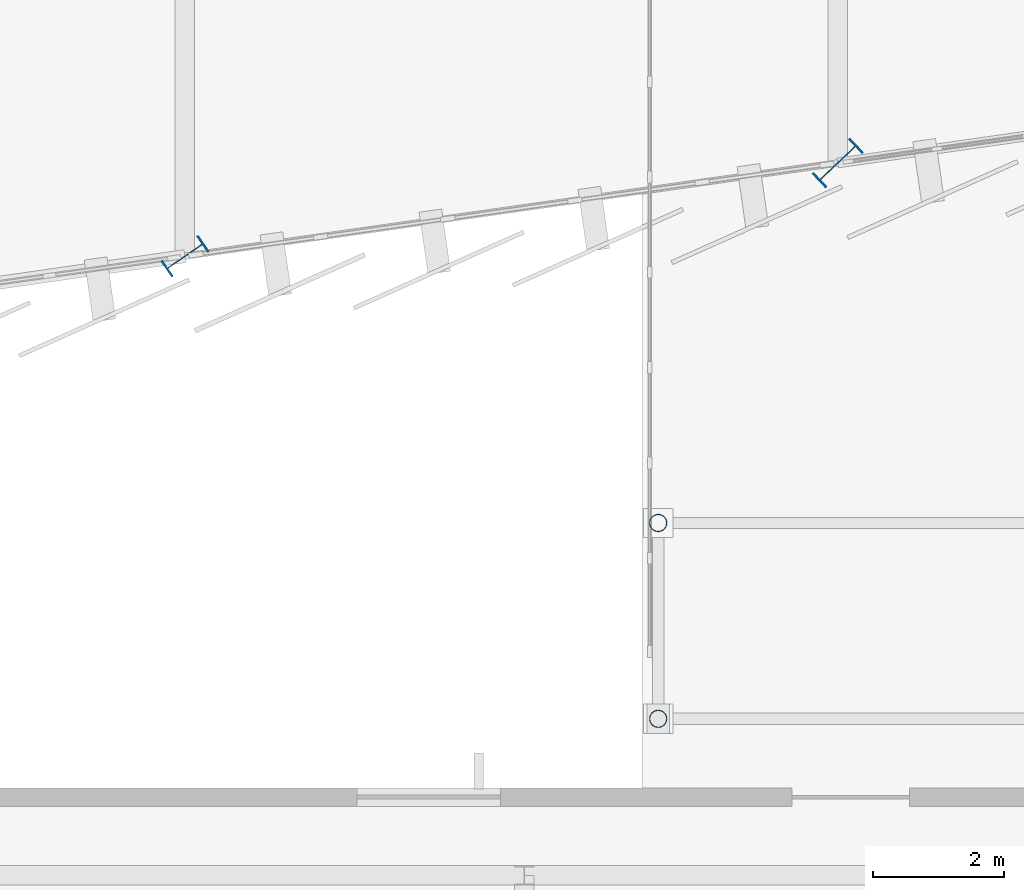
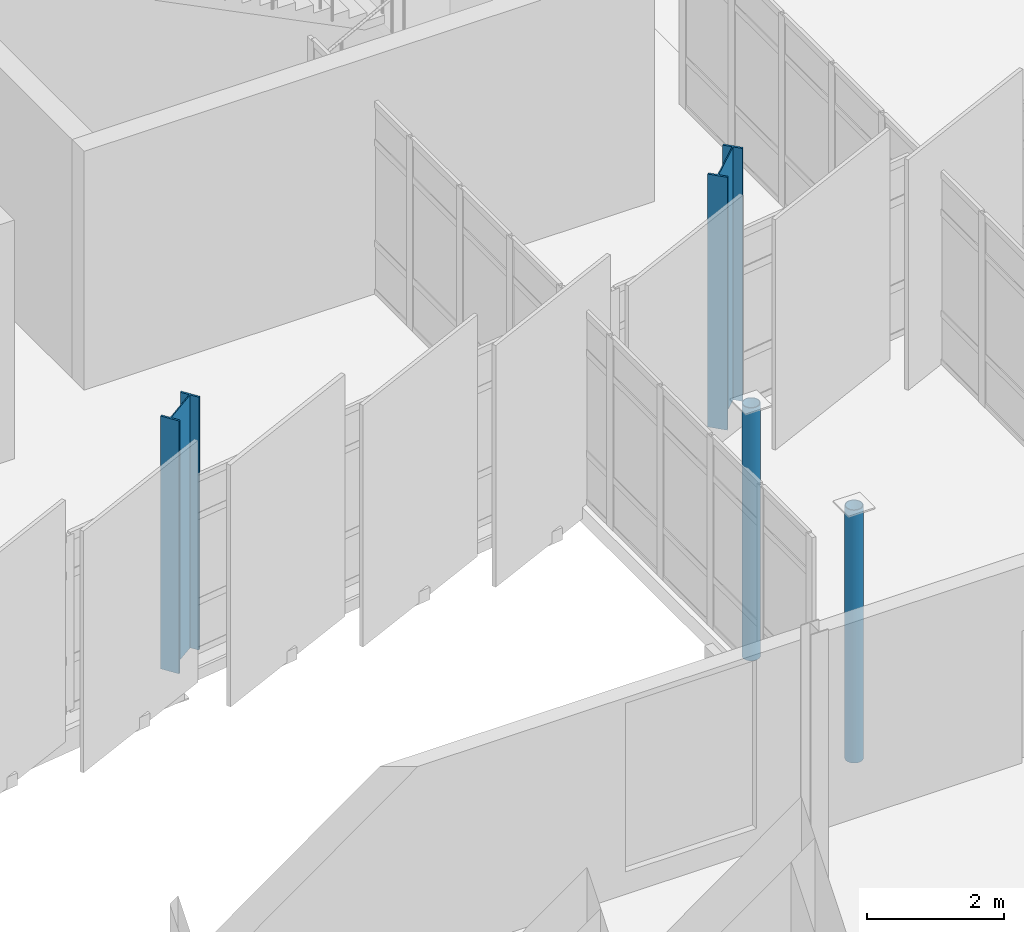
# One storey, part 7 of 134: 4 columns.
"""IFC4 building model written with IfcOpenShell, lengths in metres."""

from ifc_helpers import new_model, si_unit, direction, frame, origin, origin_2d, place, context, subcontext, project, spatial, hollow_circle, i_section, extrude, material, material_profile, profile_set, type_object, element, save


model = new_model("IFC4")

# Units and contexts
model_context = context("Model", 3, precision=1e-05, world=origin(), true_north=direction((0.0, 1.0)))
body_context = subcontext(model_context, "Body", "Model", "MODEL_VIEW")
ifc_project = project(units=[si_unit("LENGTHUNIT", "METRE"), si_unit("AREAUNIT", "SQUARE_METRE"), si_unit("VOLUMEUNIT", "CUBIC_METRE"), si_unit("PLANEANGLEUNIT", "RADIAN"), si_unit("MASSUNIT", "GRAM", prefix="KILO")], contexts=[model_context])

# Site, building, storey
site_placement = place(None, origin())
site = spatial("IfcSite", under=ifc_project, at=site_placement, CompositionType="ELEMENT")
building_placement = place(site_placement, origin())
building = spatial("IfcBuilding", under=site, at=building_placement, Name="Sohan Crest Arena", CompositionType="ELEMENT")
storey_placement = place(building_placement, frame((0.0, 0.0, 4.5)))
storey = spatial("IfcBuildingStorey", under=building, at=storey_placement, Name="L01", CompositionType="ELEMENT", Elevation=4.5)

# Columns
ifc_material = material(Name="Steel S355", Category="steel")
ifc_material_profile_1 = material_profile(ifc_material, i_section(OverallWidth=0.300048828125, OverallDepth=0.699951171875, WebThickness=0.01708984375, FlangeThickness=0.031982421875, at=origin_2d()), Name="HEB 700")
ifc_profile_set_1 = profile_set([ifc_material_profile_1], Name="Steel S355")
column_type_1 = type_object("IfcColumnType", Name="STR-COL-C21", PredefinedType="COLUMN", material=ifc_profile_set_1)
column_1_placement = place(storey_placement, frame((128.0, 34.285888671875, 0.0), z_axis=(0.0, 0.0, 1.0), x_axis=(-0.566406236925, 0.824126188622, 0.0)))
element("IfcColumn", 1, at=column_1_placement, inside=storey, type_object=column_type_1, Name="Structural column COL-V2O-16-L01", PredefinedType="COLUMN", context=body_context, shape_type="SweptSolid", body=[
    extrude(i_section(OverallWidth=0.300048828125, OverallDepth=0.699951171875, WebThickness=0.01708984375, FlangeThickness=0.031982421875, at=origin_2d()), origin(), (0.0, 0.0, 1.0), 4.5),
])
ifc_material_profile_2 = material_profile(ifc_material, i_section(OverallWidth=0.300048828125, OverallDepth=0.800048828125, WebThickness=0.017578125, FlangeThickness=0.032958984375, at=origin_2d()), Name="HEB 800")
ifc_profile_set_2 = profile_set([ifc_material_profile_2], Name="Steel S355")
column_type_2 = type_object("IfcColumnType", Name="STR-COL-C22", PredefinedType="COLUMN", material=ifc_profile_set_2)
column_2_placement = place(storey_placement, frame((138.0, 35.714111328125, 0.0), z_axis=(0.0, 0.0, 1.0), x_axis=(-0.687087510804, 0.726574670971, 0.0)))
element("IfcColumn", 2, at=column_2_placement, inside=storey, type_object=column_type_2, Name="Structural column COL-V2O-17-L01", PredefinedType="COLUMN", context=body_context, shape_type="SweptSolid", body=[
    extrude(i_section(OverallWidth=0.300048828125, OverallDepth=0.800048828125, WebThickness=0.017578125, FlangeThickness=0.032958984375, at=origin_2d()), origin(), (0.0, 0.0, 1.0), 4.5),
])
ifc_material_profile_3 = material_profile(ifc_material, hollow_circle(Radius=0.136474609375, WallThickness=0.012451171875, at=origin_2d()), Name="CHS 273x12.5")
ifc_profile_set_3 = profile_set([ifc_material_profile_3], Name="Steel S355")
column_type_3 = type_object("IfcColumnType", Name="STR-COL-C25", PredefinedType="COLUMN", material=ifc_profile_set_3)
for number, where, z_axis, x_axis, name in (
    (3, (135.25, 27.199951171875, 0.0), (0.0, 0.0, 1.0), (1.0, 0.0, 0.0), "Structural column COL-BC-BR-S2-1-L01"),
    (4, (135.25, 30.199951171875, 0.0), (0.0, 0.0, 1.0), (1.0, 0.0, 0.0), "Structural column COL-BC-BR-S2-2-L01"),
):
    element("IfcColumn", number, at=place(storey_placement, frame(where, z_axis=z_axis, x_axis=x_axis)), inside=storey, type_object=column_type_3, Name=name, PredefinedType="COLUMN", context=body_context, shape_type="SweptSolid", body=[
        extrude(hollow_circle(Radius=0.136474609375, WallThickness=0.012451171875, at=origin_2d()), origin(), (0.0, 0.0, 1.0), 4.5),
    ])

save(model, "model.ifc")
